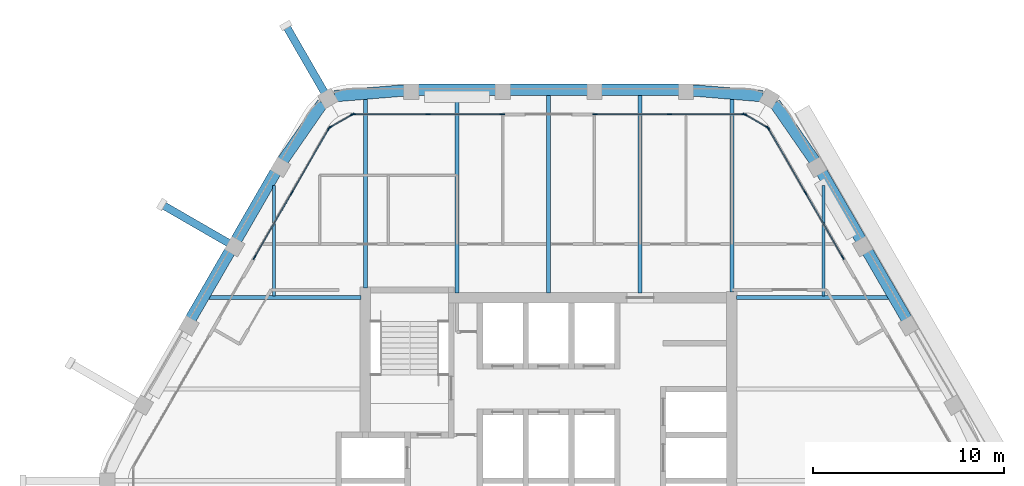
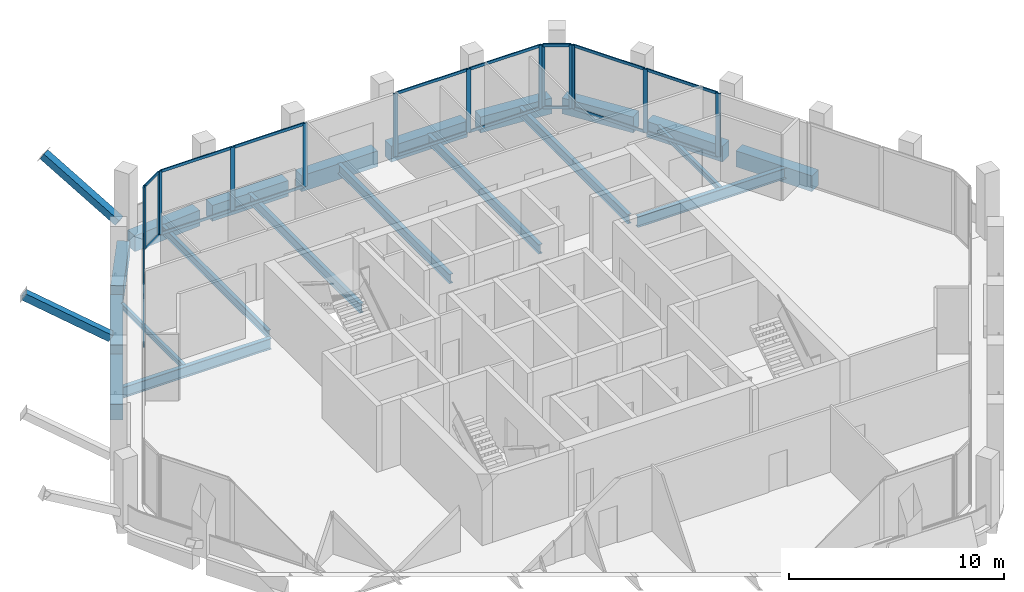
# One storey, part 5 of 14: 38 members, 20 beams, 6 elements without a shape of their own.
"""IFC4 building model written with IfcOpenShell, lengths in metres."""

from ifc_helpers import new_model, si_unit, direction, frame, origin, origin_2d, place, context, subcontext, project, spatial, rectangle, hollow_rectangle, i_section, extrude, material, material_profile, profile_set, type_object, element, aggregate, save


model = new_model("IFC4")

# Units and contexts
model_context = context("Model", 3, precision=1e-05, world=origin(), true_north=direction((0.0, 1.0)))
body_context = subcontext(model_context, "Body", "Model", "MODEL_VIEW")
ifc_project = project(units=[si_unit("LENGTHUNIT", "METRE"), si_unit("AREAUNIT", "SQUARE_METRE"), si_unit("VOLUMEUNIT", "CUBIC_METRE"), si_unit("PLANEANGLEUNIT", "RADIAN"), si_unit("MASSUNIT", "GRAM", prefix="KILO")], contexts=[model_context])

# Site, building, storey
site_placement = place(None, origin())
site = spatial("IfcSite", under=ifc_project, at=site_placement, CompositionType="ELEMENT")
building_placement = place(site_placement, origin())
building = spatial("IfcBuilding", under=site, at=building_placement, Name="Kolab Exchange Tower", CompositionType="ELEMENT")
storey_placement = place(building_placement, frame((0.0, 0.0, 234.5)))
storey = spatial("IfcBuildingStorey", under=building, at=storey_placement, Name="L51", CompositionType="ELEMENT", Elevation=234.5)

# Beams
ifc_material_1 = material(Name="Steel S355", Category="steel")
ifc_material_profile_1 = material_profile(ifc_material_1, i_section(OverallWidth=0.1650390625, OverallDepth=0.31005859375, WebThickness=0.005859375, FlangeThickness=0.009765625, at=origin_2d()), Name="W310X39")
ifc_profile_set_1 = profile_set([ifc_material_profile_1], Name="Steel S355")
beam_type_1 = type_object("IfcBeamType", Name="FLOOR BEAM W310X39", PredefinedType="BEAM", material=ifc_profile_set_1)
for number, where, z_axis, x_axis, name in (
    (1, (-14.39990234375, 9.674072265625, -0.304931640625), (0.0, 1.0, 0.0), (-1.0, 0.0, 0.0), "beam/L51/fr/004"),
    (2, (14.39990234375, 9.674072265625, -0.304931640625), (0.0, 1.0, 0.0), (-1.0, 0.0, 0.0), "beam/L51/fr/019"),
):
    element("IfcBeam", number, at=place(storey_placement, frame(where, z_axis=z_axis, x_axis=x_axis)), inside=storey, type_object=beam_type_1, Name=name, PredefinedType="BEAM", context=body_context, shape_type="SweptSolid", body=[
        extrude(i_section(OverallWidth=0.1650390625, OverallDepth=0.31005859375, WebThickness=0.005859375, FlangeThickness=0.009765625, at=origin_2d()), origin(), (0.0, 0.0, 1.0), 5.793701171875),
    ])
ifc_material_profile_2 = material_profile(ifc_material_1, i_section(OverallWidth=0.18994140625, OverallDepth=0.45703125, WebThickness=0.009033203125, FlangeThickness=0.014404296875, at=origin_2d()), Name="W460X74")
ifc_profile_set_2 = profile_set([ifc_material_profile_2], Name="Steel S355")
beam_type_2 = type_object("IfcBeamType", Name="FLOOR BEAM W460X74", PredefinedType="BEAM", material=ifc_profile_set_2)
beam_1_placement = place(storey_placement, frame((-9.60009765625, 10.110107421875, -0.37841796875), z_axis=(0.0, 1.0, 0.0), x_axis=(-1.0, 0.0, 0.0)))
element("IfcBeam", 3, at=beam_1_placement, inside=storey, type_object=beam_type_2, Name="beam/L51/fr/006", PredefinedType="BEAM", context=body_context, shape_type="SweptSolid", body=[
    extrude(i_section(OverallWidth=0.18994140625, OverallDepth=0.45703125, WebThickness=0.009033203125, FlangeThickness=0.014404296875, at=origin_2d()), origin(), (0.0, 0.0, 1.0), 9.9169921875),
])
ifc_material_profile_3 = material_profile(ifc_material_1, i_section(OverallWidth=0.208984375, OverallDepth=0.532958984375, WebThickness=0.01025390625, FlangeThickness=0.015625, at=origin_2d()), Name="W530X92")
ifc_profile_set_3 = profile_set([ifc_material_profile_3], Name="Steel S355")
beam_type_3 = type_object("IfcBeamType", Name="FLOOR BEAM W530X92", PredefinedType="BEAM", material=ifc_profile_set_3)
for number, where, z_axis, x_axis, name in (
    (4, (-4.800048828125, 9.8349609375, -0.41650390625), (0.0, 1.0, 0.0), (-1.0, 0.0, 0.0), "beam/L51/fr/008"),
    (5, (0.0, 9.8349609375, -0.41650390625), (0.0, 1.0, 0.0), (-1.0, 0.0, 0.0), "beam/L51/fr/010"),
    (6, (4.800048828125, 9.8349609375, -0.41650390625), (0.0, 1.0, 0.0), (-1.0, 0.0, 0.0), "beam/L51/fr/012"),
):
    element("IfcBeam", number, at=place(storey_placement, frame(where, z_axis=z_axis, x_axis=x_axis)), inside=storey, type_object=beam_type_3, Name=name, PredefinedType="BEAM", context=body_context, shape_type="SweptSolid", body=[
        extrude(i_section(OverallWidth=0.208984375, OverallDepth=0.532958984375, WebThickness=0.01025390625, FlangeThickness=0.015625, at=origin_2d()), origin(), (0.0, 0.0, 1.0), 10.3896484375),
    ])
beam_2_placement = place(storey_placement, frame((9.60009765625, 9.885009765625, -0.41650390625), z_axis=(0.0, 1.0, 0.0), x_axis=(-1.0, 0.0, 0.0)))
element("IfcBeam", 7, at=beam_2_placement, inside=storey, type_object=beam_type_3, Name="beam/L51/fr/014", PredefinedType="BEAM", context=body_context, shape_type="SweptSolid", body=[
    extrude(i_section(OverallWidth=0.208984375, OverallDepth=0.532958984375, WebThickness=0.01025390625, FlangeThickness=0.015625, at=origin_2d()), origin(), (0.0, 0.0, 1.0), 10.14208984375),
])
ifc_material_profile_4 = material_profile(ifc_material_1, i_section(OverallWidth=0.22802734375, OverallDepth=0.60791015625, WebThickness=0.01123046875, FlangeThickness=0.017333984375, at=origin_2d()), Name="W610X113")
ifc_profile_set_4 = profile_set([ifc_material_profile_4], Name="Steel S355")
beam_type_4 = type_object("IfcBeamType", Name="FLOOR GIRDER W610X113", PredefinedType="BEAM", material=ifc_profile_set_4)
for number, where, z_axis, x_axis, name in (
    (8, (-17.8046875, 9.60009765625, -0.4541015625), (1.0, 0.0, 0.0), (0.0, 1.0, 0.0), "beam/L51/gd/001"),
    (9, (9.8349609375, 9.60009765625, -0.4541015625), (1.0, 0.0, 0.0), (0.0, 1.0, 0.0), "beam/L51/gd/003"),
):
    element("IfcBeam", number, at=place(storey_placement, frame(where, z_axis=z_axis, x_axis=x_axis)), inside=storey, type_object=beam_type_4, Name=name, PredefinedType="BEAM", context=body_context, shape_type="SweptSolid", body=[
        extrude(i_section(OverallWidth=0.22802734375, OverallDepth=0.60791015625, WebThickness=0.01123046875, FlangeThickness=0.017333984375, at=origin_2d()), origin(), (0.0, 0.0, 1.0), 7.9697265625),
    ])

# Members
ifc_material_profile_5 = material_profile(ifc_material_1, hollow_rectangle(XDim=0.39990234375, YDim=0.39990234375, WallThickness=0.02001953125, at=origin_2d()), Name="HSS400X400X20")
ifc_profile_set_5 = profile_set([ifc_material_profile_5], Name="Steel S355")
member_type_1 = type_object("IfcMemberType", Name="LEDGE STRUT HSS400X400X20", PredefinedType="STRUT", material=ifc_profile_set_5)
for number, where, z_axis, x_axis, name in (
    (10, (-16.765380859375, 12.45068359375, 0.60009765625), (-0.74714919009, 0.431366436313, 0.505659060406), (-0.499999695987, -0.866025579307, 0.0), "mem/L51/ledge/strut-5"),
    (11, (-11.747802734375, 20.347900390625, 0.60009765625), (-0.431366436313, 0.74714919009, 0.505659060406), (-0.866025579307, -0.499999695987, 0.0), "mem/L51/ledge/strut-6"),
):
    element("IfcMember", number, at=place(storey_placement, frame(where, z_axis=z_axis, x_axis=x_axis)), inside=storey, type_object=member_type_1, Name=name, PredefinedType="STRUT", context=body_context, shape_type="SweptSolid", body=[
        extrude(hollow_rectangle(XDim=0.39990234375, YDim=0.39990234375, WallThickness=0.02001953125, at=origin_2d()), origin(), (0.0, 0.0, 1.0), 4.682861328125),
    ])

# Beams
ifc_material_2 = material(Name="Concrete C50/60", Category="concrete")
ifc_material_profile_6 = material_profile(ifc_material_2, rectangle(XDim=0.60009765625, YDim=0.89990234375, at=origin_2d()), Name="RC600X900")
ifc_profile_set_6 = profile_set([ifc_material_profile_6], Name="Concrete C50/60")
beam_type_5 = type_object("IfcBeamType", Name="SPANDREL BEAM 600X900 C50/60", PredefinedType="BEAM", material=ifc_profile_set_6)
beam_3_placement = place(storey_placement, frame((-11.216796875, 20.15576171875, -0.60009765625), z_axis=(0.996666751878, 0.081580547323, 0.0), x_axis=(-0.081580547323, 0.996666751878, 0.0)))
element("IfcBeam", 12, at=beam_3_placement, inside=storey, type_object=beam_type_5, Name="beam/L51/sp/F1-01", PredefinedType="BEAM", context=body_context, shape_type="SweptSolid", body=[
    extrude(rectangle(XDim=0.60009765625, YDim=0.89990234375, at=origin_2d()), origin(), (0.0, 0.0, 1.0), 3.6689453125),
])
for number, where, z_axis, x_axis, name in (
    (13, (-6.840087890625, 20.484619140625, -0.60009765625), (1.0, 0.0, 0.0), (0.0, 1.0, 0.0), "beam/L51/sp/F1-02"),
    (14, (-2.0400390625, 20.484619140625, -0.60009765625), (1.0, 0.0, 0.0), (0.0, 1.0, 0.0), "beam/L51/sp/F1-03"),
    (15, (2.760009765625, 20.484619140625, -0.60009765625), (1.0, 0.0, 0.0), (0.0, 1.0, 0.0), "beam/L51/sp/F1-04"),
):
    element("IfcBeam", number, at=place(storey_placement, frame(where, z_axis=z_axis, x_axis=x_axis)), inside=storey, type_object=beam_type_5, Name=name, PredefinedType="BEAM", context=body_context, shape_type="SweptSolid", body=[
        extrude(rectangle(XDim=0.60009765625, YDim=0.89990234375, at=origin_2d()), origin(), (0.0, 0.0, 1.0), 4.080078125),
    ])
for number, where, z_axis, x_axis, name in (
    (16, (7.56005859375, 20.455078125, -0.60009765625), (0.996666751878, -0.081580547323, 0.0), (0.081580547323, 0.996666751878, 0.0), "beam/L51/sp/F1-05"),
    (17, (11.846923828125, 19.7919921875, -0.60009765625), (0.569005808573, -0.822333502789, 0.0), (0.822333502789, 0.569005808573, 0.0), "beam/L51/sp/F2-01"),
):
    element("IfcBeam", number, at=place(storey_placement, frame(where, z_axis=z_axis, x_axis=x_axis)), inside=storey, type_object=beam_type_5, Name=name, PredefinedType="BEAM", context=body_context, shape_type="SweptSolid", body=[
        extrude(rectangle(XDim=0.60009765625, YDim=0.89990234375, at=origin_2d()), origin(), (0.0, 0.0, 1.0), 3.6689453125),
    ])
beam_4_placement = place(storey_placement, frame((14.3203125, 16.166015625, -0.60009765625), z_axis=(0.499955548806, -0.866051066172, 0.0), x_axis=(0.866051066172, 0.499955548806, 0.0)))
element("IfcBeam", 18, at=beam_4_placement, inside=storey, type_object=beam_type_5, Name="beam/L51/sp/F2-02", PredefinedType="BEAM", context=body_context, shape_type="SweptSolid", body=[
    extrude(rectangle(XDim=0.60009765625, YDim=0.89990234375, at=origin_2d()), origin(), (0.0, 0.0, 1.0), 4.079833984375),
])
for number, where, z_axis, x_axis, name in (
    (19, (16.72021484375, 12.009033203125, -0.60009765625), (0.500000428765, -0.866025156237, 0.0), (0.866025156237, 0.500000428765, 0.0), "beam/L51/sp/F2-03"),
    (20, (-18.76025390625, 8.4755859375, -0.60009765625), (0.500000428765, 0.866025156237, 0.0), (-0.866025156237, 0.500000428765, 0.0), "beam/L51/sp/F6-03"),
):
    element("IfcBeam", number, at=place(storey_placement, frame(where, z_axis=z_axis, x_axis=x_axis)), inside=storey, type_object=beam_type_5, Name=name, PredefinedType="BEAM", context=body_context, shape_type="SweptSolid", body=[
        extrude(rectangle(XDim=0.60009765625, YDim=0.89990234375, at=origin_2d()), origin(), (0.0, 0.0, 1.0), 4.080078125),
    ])
beam_5_placement = place(storey_placement, frame((-16.360107421875, 12.632568359375, -0.60009765625), z_axis=(0.499955548806, 0.866051066172, 0.0), x_axis=(-0.866051066172, 0.499955548806, 0.0)))
element("IfcBeam", 21, at=beam_5_placement, inside=storey, type_object=beam_type_5, Name="beam/L51/sp/F6-04", PredefinedType="BEAM", context=body_context, shape_type="SweptSolid", body=[
    extrude(rectangle(XDim=0.60009765625, YDim=0.89990234375, at=origin_2d()), origin(), (0.0, 0.0, 1.0), 4.079833984375),
])
beam_6_placement = place(storey_placement, frame((-13.9345703125, 16.77490234375, -0.60009765625), z_axis=(0.569005808573, 0.822333502789, 0.0), x_axis=(-0.822333502789, 0.569005808573, 0.0)))
element("IfcBeam", 22, at=beam_6_placement, inside=storey, type_object=beam_type_5, Name="beam/L51/sp/F6-05", PredefinedType="BEAM", context=body_context, shape_type="SweptSolid", body=[
    extrude(rectangle(XDim=0.60009765625, YDim=0.89990234375, at=origin_2d()), origin(), (0.0, 0.0, 1.0), 3.6689453125),
])

# Curtain wall, members
ifc_material_3 = material(Name="Aluminium EN AW-6063 T6", Category="aluminium")
curtain_wall_type = type_object("IfcCurtainWallType", Name="UNITISED HIGH ZONE CURTAIN WALL", PredefinedType="NOTDEFINED", material=ifc_material_3)
curtain_wall_1_placement = place(storey_placement, origin())
curtain_wall_1 = element("IfcCurtainWall", 23, at=curtain_wall_1_placement, inside=storey, type_object=curtain_wall_type, Name="cw/L51/F1-1", PredefinedType="NOTDEFINED")
ifc_material_profile_7 = material_profile(ifc_material_3, rectangle(XDim=0.06005859375, YDim=0.239990234375, at=origin_2d()), Name="RECT 60X240")
ifc_profile_set_7 = profile_set([ifc_material_profile_7], Name="Aluminium EN AW-6063 T6")
member_type_2 = type_object("IfcMemberType", Name="UNITISED HIGH ZONE MULLION 60 X 240", PredefinedType="MULLION", material=ifc_profile_set_7)
member_1_placement = place(storey_placement, frame((-10.238037109375, 19.20458984375, 0.0), z_axis=(0.0, 0.0, 1.0), x_axis=(0.0, 1.0, 0.0)))
member_1 = element("IfcMember", 24, at=member_1_placement, type_object=member_type_2, Name="CW4 mullion 1", PredefinedType="MULLION", context=body_context, shape_type="SweptSolid", body=[
    extrude(rectangle(XDim=0.06005859375, YDim=0.239990234375, at=origin_2d()), origin(), (0.0, 0.0, 1.0), 3.60009765625),
])
member_2_placement = place(storey_placement, frame((-6.333984375, 19.20458984375, 0.0), z_axis=(0.0, 0.0, 1.0), x_axis=(0.0, 1.0, 0.0)))
member_2 = element("IfcMember", 25, at=member_2_placement, type_object=member_type_2, Name="CW4 mullion 2", PredefinedType="MULLION", context=body_context, shape_type="SweptSolid", body=[
    extrude(rectangle(XDim=0.06005859375, YDim=0.239990234375, at=origin_2d()), origin(), (0.0, 0.0, 1.0), 3.60009765625),
])
member_3_placement = place(storey_placement, frame((-2.429931640625, 19.20458984375, 0.0), z_axis=(0.0, 0.0, 1.0), x_axis=(0.0, 1.0, 0.0)))
member_3 = element("IfcMember", 26, at=member_3_placement, type_object=member_type_2, Name="CW4 mullion 3", PredefinedType="MULLION", context=body_context, shape_type="SweptSolid", body=[
    extrude(rectangle(XDim=0.06005859375, YDim=0.239990234375, at=origin_2d()), origin(), (0.0, 0.0, 1.0), 3.60009765625),
])

curtain_wall_2_placement = place(storey_placement, origin())
curtain_wall_2 = element("IfcCurtainWall", 27, at=curtain_wall_2_placement, inside=storey, type_object=curtain_wall_type, Name="cw/L51/F1-2", PredefinedType="NOTDEFINED")
member_4_placement = place(storey_placement, frame((2.429931640625, 19.20458984375, 0.0), z_axis=(0.0, 0.0, 1.0), x_axis=(0.0, 1.0, 0.0)))
member_4 = element("IfcMember", 28, at=member_4_placement, type_object=member_type_2, Name="CW4 mullion 1", PredefinedType="MULLION", context=body_context, shape_type="SweptSolid", body=[
    extrude(rectangle(XDim=0.06005859375, YDim=0.239990234375, at=origin_2d()), origin(), (0.0, 0.0, 1.0), 3.60009765625),
])
member_5_placement = place(storey_placement, frame((6.333984375, 19.20458984375, 0.0), z_axis=(0.0, 0.0, 1.0), x_axis=(0.0, 1.0, 0.0)))
member_5 = element("IfcMember", 29, at=member_5_placement, type_object=member_type_2, Name="CW4 mullion 2", PredefinedType="MULLION", context=body_context, shape_type="SweptSolid", body=[
    extrude(rectangle(XDim=0.06005859375, YDim=0.239990234375, at=origin_2d()), origin(), (0.0, 0.0, 1.0), 3.60009765625),
])
member_6_placement = place(storey_placement, frame((10.238037109375, 19.20458984375, 0.0), z_axis=(0.0, 0.0, 1.0), x_axis=(0.0, 1.0, 0.0)))
member_6 = element("IfcMember", 30, at=member_6_placement, type_object=member_type_2, Name="CW4 mullion 3", PredefinedType="MULLION", context=body_context, shape_type="SweptSolid", body=[
    extrude(rectangle(XDim=0.06005859375, YDim=0.239990234375, at=origin_2d()), origin(), (0.0, 0.0, 1.0), 3.60009765625),
])

curtain_wall_3_placement = place(storey_placement, origin())
curtain_wall_3 = element("IfcCurtainWall", 31, at=curtain_wall_3_placement, inside=storey, type_object=curtain_wall_type, Name="cw/L51/F2-1", PredefinedType="NOTDEFINED")
member_7_placement = place(storey_placement, frame((11.5126953125, 18.46875, 0.0), z_axis=(0.0, 0.0, 1.0), x_axis=(0.866025385493, 0.500000031681, 0.0)))
member_7 = element("IfcMember", 32, at=member_7_placement, type_object=member_type_2, Name="CW4 mullion 1", PredefinedType="MULLION", context=body_context, shape_type="SweptSolid", body=[
    extrude(rectangle(XDim=0.06005859375, YDim=0.239990234375, at=origin_2d()), origin(), (0.0, 0.0, 1.0), 3.60009765625),
])
member_8_placement = place(storey_placement, frame((13.464599609375, 15.087646484375, 0.0), z_axis=(0.0, 0.0, 1.0), x_axis=(0.866025385493, 0.500000031681, 0.0)))
member_8 = element("IfcMember", 33, at=member_8_placement, type_object=member_type_2, Name="CW4 mullion 2", PredefinedType="MULLION", context=body_context, shape_type="SweptSolid", body=[
    extrude(rectangle(XDim=0.06005859375, YDim=0.239990234375, at=origin_2d()), origin(), (0.0, 0.0, 1.0), 3.60009765625),
])
member_9_placement = place(storey_placement, frame((15.416748046875, 11.706787109375, 0.0), z_axis=(0.0, 0.0, 1.0), x_axis=(0.866025385493, 0.500000031681, 0.0)))
member_9 = element("IfcMember", 34, at=member_9_placement, type_object=member_type_2, Name="CW4 mullion 3", PredefinedType="MULLION", context=body_context, shape_type="SweptSolid", body=[
    extrude(rectangle(XDim=0.06005859375, YDim=0.239990234375, at=origin_2d()), origin(), (0.0, 0.0, 1.0), 3.60009765625),
])

curtain_wall_4_placement = place(storey_placement, origin())
curtain_wall_4 = element("IfcCurtainWall", 35, at=curtain_wall_4_placement, inside=storey, type_object=curtain_wall_type, Name="cw/L51/F6-2", PredefinedType="NOTDEFINED")
member_10_placement = place(storey_placement, frame((-15.416748046875, 11.706787109375, 0.0), z_axis=(0.0, 0.0, 1.0), x_axis=(-0.866025385493, 0.500000031681, 0.0)))
member_10 = element("IfcMember", 36, at=member_10_placement, type_object=member_type_2, Name="CW4 mullion 1", PredefinedType="MULLION", context=body_context, shape_type="SweptSolid", body=[
    extrude(rectangle(XDim=0.06005859375, YDim=0.239990234375, at=origin_2d()), origin(), (0.0, 0.0, 1.0), 3.60009765625),
])
member_11_placement = place(storey_placement, frame((-13.464599609375, 15.087646484375, 0.0), z_axis=(0.0, 0.0, 1.0), x_axis=(-0.866025385493, 0.500000031681, 0.0)))
member_11 = element("IfcMember", 37, at=member_11_placement, type_object=member_type_2, Name="CW4 mullion 2", PredefinedType="MULLION", context=body_context, shape_type="SweptSolid", body=[
    extrude(rectangle(XDim=0.06005859375, YDim=0.239990234375, at=origin_2d()), origin(), (0.0, 0.0, 1.0), 3.60009765625),
])
member_12_placement = place(storey_placement, frame((-11.5126953125, 18.46875, 0.0), z_axis=(0.0, 0.0, 1.0), x_axis=(-0.866025385493, 0.500000031681, 0.0)))
member_12 = element("IfcMember", 38, at=member_12_placement, type_object=member_type_2, Name="CW4 mullion 3", PredefinedType="MULLION", context=body_context, shape_type="SweptSolid", body=[
    extrude(rectangle(XDim=0.06005859375, YDim=0.239990234375, at=origin_2d()), origin(), (0.0, 0.0, 1.0), 3.60009765625),
])

curtain_wall_5_placement = place(storey_placement, origin())
curtain_wall_5 = element("IfcCurtainWall", 39, at=curtain_wall_5_placement, inside=storey, type_object=curtain_wall_type, Name="cw/L51/F1F2-corner", PredefinedType="NOTDEFINED")
member_13_placement = place(storey_placement, frame((10.2939453125, 19.189697265625, 0.0), z_axis=(0.0, 0.0, 1.0), x_axis=(0.50000002237, 0.866025390869, 0.0)))
member_13 = element("IfcMember", 40, at=member_13_placement, type_object=member_type_2, Name="CW4 mullion 1", PredefinedType="MULLION", context=body_context, shape_type="SweptSolid", body=[
    extrude(rectangle(XDim=0.06005859375, YDim=0.239990234375, at=origin_2d()), origin(), (0.0, 0.0, 1.0), 3.60009765625),
])
member_14_placement = place(storey_placement, frame((11.4716796875, 18.509521484375, 0.0), z_axis=(0.0, 0.0, 1.0), x_axis=(0.50000002237, 0.866025390869, 0.0)))
member_14 = element("IfcMember", 41, at=member_14_placement, type_object=member_type_2, Name="CW4 mullion 2", PredefinedType="MULLION", context=body_context, shape_type="SweptSolid", body=[
    extrude(rectangle(XDim=0.06005859375, YDim=0.239990234375, at=origin_2d()), origin(), (0.0, 0.0, 1.0), 3.60009765625),
])

curtain_wall_6_placement = place(storey_placement, origin())
curtain_wall_6 = element("IfcCurtainWall", 42, at=curtain_wall_6_placement, inside=storey, type_object=curtain_wall_type, Name="cw/L51/F6F1-corner", PredefinedType="NOTDEFINED")
member_15_placement = place(storey_placement, frame((-11.4716796875, 18.509521484375, 0.0), z_axis=(0.0, 0.0, 1.0), x_axis=(-0.50000002237, 0.866025390869, 0.0)))
member_15 = element("IfcMember", 43, at=member_15_placement, type_object=member_type_2, Name="CW4 mullion 1", PredefinedType="MULLION", context=body_context, shape_type="SweptSolid", body=[
    extrude(rectangle(XDim=0.06005859375, YDim=0.239990234375, at=origin_2d()), origin(), (0.0, 0.0, 1.0), 3.60009765625),
])
member_16_placement = place(storey_placement, frame((-10.2939453125, 19.189697265625, 0.0), z_axis=(0.0, 0.0, 1.0), x_axis=(-0.50000002237, 0.866025390869, 0.0)))
member_16 = element("IfcMember", 44, at=member_16_placement, type_object=member_type_2, Name="CW4 mullion 2", PredefinedType="MULLION", context=body_context, shape_type="SweptSolid", body=[
    extrude(rectangle(XDim=0.06005859375, YDim=0.239990234375, at=origin_2d()), origin(), (0.0, 0.0, 1.0), 3.60009765625),
])

# Member
ifc_material_profile_8 = material_profile(ifc_material_3, rectangle(XDim=0.06005859375, YDim=0.159912109375, at=origin_2d()), Name="RECT 60X160")
ifc_profile_set_8 = profile_set([ifc_material_profile_8], Name="Aluminium EN AW-6063 T6")
member_type_3 = type_object("IfcMemberType", Name="UNITISED HIGH ZONE TRANSOM 60 X 160", PredefinedType="USERDEFINED", material=ifc_profile_set_8)
member_17_placement = place(storey_placement, frame((-10.2080078125, 19.20458984375, 0.030029296875), z_axis=(1.0, 0.0, 0.0), x_axis=(0.0, 1.0, 0.0)))
member_17 = element("IfcMember", 45, at=member_17_placement, type_object=member_type_3, Name="CW4 transom 1.1", ObjectType="TRANSOM", PredefinedType="USERDEFINED", context=body_context, shape_type="SweptSolid", body=[
    extrude(rectangle(XDim=0.06005859375, YDim=0.159912109375, at=origin_2d()), origin(), (0.0, 0.0, 1.0), 3.843994140625),
])

member_18_placement = place(storey_placement, frame((-10.2080078125, 19.20458984375, 3.570068359375), z_axis=(1.0, 0.0, 0.0), x_axis=(0.0, 1.0, 0.0)))
member_18 = element("IfcMember", 46, at=member_18_placement, type_object=member_type_3, Name="CW4 transom 1.2", ObjectType="TRANSOM", PredefinedType="USERDEFINED", context=body_context, shape_type="SweptSolid", body=[
    extrude(rectangle(XDim=0.06005859375, YDim=0.159912109375, at=origin_2d()), origin(), (0.0, 0.0, 1.0), 3.843994140625),
])

member_19_placement = place(storey_placement, frame((-6.303955078125, 19.20458984375, 0.030029296875), z_axis=(1.0, 0.0, 0.0), x_axis=(0.0, 1.0, 0.0)))
member_19 = element("IfcMember", 47, at=member_19_placement, type_object=member_type_3, Name="CW4 transom 2.1", ObjectType="TRANSOM", PredefinedType="USERDEFINED", context=body_context, shape_type="SweptSolid", body=[
    extrude(rectangle(XDim=0.06005859375, YDim=0.159912109375, at=origin_2d()), origin(), (0.0, 0.0, 1.0), 3.843994140625),
])

member_20_placement = place(storey_placement, frame((-6.303955078125, 19.20458984375, 3.570068359375), z_axis=(1.0, 0.0, 0.0), x_axis=(0.0, 1.0, 0.0)))
member_20 = element("IfcMember", 48, at=member_20_placement, type_object=member_type_3, Name="CW4 transom 2.2", ObjectType="TRANSOM", PredefinedType="USERDEFINED", context=body_context, shape_type="SweptSolid", body=[
    extrude(rectangle(XDim=0.06005859375, YDim=0.159912109375, at=origin_2d()), origin(), (0.0, 0.0, 1.0), 3.843994140625),
])

aggregate(curtain_wall_1, [member_1, member_2, member_3, member_17, member_18, member_19, member_20])

member_21_placement = place(storey_placement, frame((2.4599609375, 19.20458984375, 0.030029296875), z_axis=(1.0, 0.0, 0.0), x_axis=(0.0, 1.0, 0.0)))
member_21 = element("IfcMember", 49, at=member_21_placement, type_object=member_type_3, Name="CW4 transom 1.1", ObjectType="TRANSOM", PredefinedType="USERDEFINED", context=body_context, shape_type="SweptSolid", body=[
    extrude(rectangle(XDim=0.06005859375, YDim=0.159912109375, at=origin_2d()), origin(), (0.0, 0.0, 1.0), 3.843994140625),
])

member_22_placement = place(storey_placement, frame((2.4599609375, 19.20458984375, 3.570068359375), z_axis=(1.0, 0.0, 0.0), x_axis=(0.0, 1.0, 0.0)))
member_22 = element("IfcMember", 50, at=member_22_placement, type_object=member_type_3, Name="CW4 transom 1.2", ObjectType="TRANSOM", PredefinedType="USERDEFINED", context=body_context, shape_type="SweptSolid", body=[
    extrude(rectangle(XDim=0.06005859375, YDim=0.159912109375, at=origin_2d()), origin(), (0.0, 0.0, 1.0), 3.843994140625),
])

member_23_placement = place(storey_placement, frame((6.364013671875, 19.20458984375, 0.030029296875), z_axis=(1.0, 0.0, 0.0), x_axis=(0.0, 1.0, 0.0)))
member_23 = element("IfcMember", 51, at=member_23_placement, type_object=member_type_3, Name="CW4 transom 2.1", ObjectType="TRANSOM", PredefinedType="USERDEFINED", context=body_context, shape_type="SweptSolid", body=[
    extrude(rectangle(XDim=0.06005859375, YDim=0.159912109375, at=origin_2d()), origin(), (0.0, 0.0, 1.0), 3.843994140625),
])

member_24_placement = place(storey_placement, frame((6.364013671875, 19.20458984375, 3.570068359375), z_axis=(1.0, 0.0, 0.0), x_axis=(0.0, 1.0, 0.0)))
member_24 = element("IfcMember", 52, at=member_24_placement, type_object=member_type_3, Name="CW4 transom 2.2", ObjectType="TRANSOM", PredefinedType="USERDEFINED", context=body_context, shape_type="SweptSolid", body=[
    extrude(rectangle(XDim=0.06005859375, YDim=0.159912109375, at=origin_2d()), origin(), (0.0, 0.0, 1.0), 3.843994140625),
])

aggregate(curtain_wall_2, [member_4, member_5, member_6, member_21, member_22, member_23, member_24])

member_25_placement = place(storey_placement, frame((11.527587890625, 18.442626953125, 0.030029296875), z_axis=(0.500039492609, -0.866002601515, 0.0), x_axis=(0.866002601515, 0.500039492609, 0.0)))
member_25 = element("IfcMember", 53, at=member_25_placement, type_object=member_type_3, Name="CW4 transom 1.1", ObjectType="TRANSOM", PredefinedType="USERDEFINED", context=body_context, shape_type="SweptSolid", body=[
    extrude(rectangle(XDim=0.06005859375, YDim=0.159912109375, at=origin_2d()), origin(), (0.0, 0.0, 1.0), 3.843994140625),
])

member_26_placement = place(storey_placement, frame((11.527587890625, 18.442626953125, 3.570068359375), z_axis=(0.500039492609, -0.866002601515, 0.0), x_axis=(0.866002601515, 0.500039492609, 0.0)))
member_26 = element("IfcMember", 54, at=member_26_placement, type_object=member_type_3, Name="CW4 transom 1.2", ObjectType="TRANSOM", PredefinedType="USERDEFINED", context=body_context, shape_type="SweptSolid", body=[
    extrude(rectangle(XDim=0.06005859375, YDim=0.159912109375, at=origin_2d()), origin(), (0.0, 0.0, 1.0), 3.843994140625),
])

member_27_placement = place(storey_placement, frame((13.479736328125, 15.061767578125, 0.030029296875), z_axis=(0.499964356602, -0.866045981532, 0.0), x_axis=(0.866045981532, 0.499964356602, 0.0)))
member_27 = element("IfcMember", 55, at=member_27_placement, type_object=member_type_3, Name="CW4 transom 2.1", ObjectType="TRANSOM", PredefinedType="USERDEFINED", context=body_context, shape_type="SweptSolid", body=[
    extrude(rectangle(XDim=0.06005859375, YDim=0.159912109375, at=origin_2d()), origin(), (0.0, 0.0, 1.0), 3.843994140625),
])

member_28_placement = place(storey_placement, frame((13.479736328125, 15.061767578125, 3.570068359375), z_axis=(0.499964356602, -0.866045981532, 0.0), x_axis=(0.866045981532, 0.499964356602, 0.0)))
member_28 = element("IfcMember", 56, at=member_28_placement, type_object=member_type_3, Name="CW4 transom 2.2", ObjectType="TRANSOM", PredefinedType="USERDEFINED", context=body_context, shape_type="SweptSolid", body=[
    extrude(rectangle(XDim=0.06005859375, YDim=0.159912109375, at=origin_2d()), origin(), (0.0, 0.0, 1.0), 3.843994140625),
])

aggregate(curtain_wall_3, [member_7, member_8, member_9, member_25, member_26, member_27, member_28])

member_29_placement = place(storey_placement, frame((-15.401611328125, 11.732666015625, 0.030029296875), z_axis=(0.499964356602, 0.866045981532, 0.0), x_axis=(-0.866045981532, 0.499964356602, 0.0)))
member_29 = element("IfcMember", 57, at=member_29_placement, type_object=member_type_3, Name="CW4 transom 1.1", ObjectType="TRANSOM", PredefinedType="USERDEFINED", context=body_context, shape_type="SweptSolid", body=[
    extrude(rectangle(XDim=0.06005859375, YDim=0.159912109375, at=origin_2d()), origin(), (0.0, 0.0, 1.0), 3.843994140625),
])

member_30_placement = place(storey_placement, frame((-15.401611328125, 11.732666015625, 3.570068359375), z_axis=(0.499964356602, 0.866045981532, 0.0), x_axis=(-0.866045981532, 0.499964356602, 0.0)))
member_30 = element("IfcMember", 58, at=member_30_placement, type_object=member_type_3, Name="CW4 transom 1.2", ObjectType="TRANSOM", PredefinedType="USERDEFINED", context=body_context, shape_type="SweptSolid", body=[
    extrude(rectangle(XDim=0.06005859375, YDim=0.159912109375, at=origin_2d()), origin(), (0.0, 0.0, 1.0), 3.843994140625),
])

member_31_placement = place(storey_placement, frame((-13.44970703125, 15.11376953125, 0.030029296875), z_axis=(0.500039492609, 0.866002601515, 0.0), x_axis=(-0.866002601515, 0.500039492609, 0.0)))
member_31 = element("IfcMember", 59, at=member_31_placement, type_object=member_type_3, Name="CW4 transom 2.1", ObjectType="TRANSOM", PredefinedType="USERDEFINED", context=body_context, shape_type="SweptSolid", body=[
    extrude(rectangle(XDim=0.06005859375, YDim=0.159912109375, at=origin_2d()), origin(), (0.0, 0.0, 1.0), 3.843994140625),
])

member_32_placement = place(storey_placement, frame((-13.44970703125, 15.11376953125, 3.570068359375), z_axis=(0.500039492609, 0.866002601515, 0.0), x_axis=(-0.866002601515, 0.500039492609, 0.0)))
member_32 = element("IfcMember", 60, at=member_32_placement, type_object=member_type_3, Name="CW4 transom 2.2", ObjectType="TRANSOM", PredefinedType="USERDEFINED", context=body_context, shape_type="SweptSolid", body=[
    extrude(rectangle(XDim=0.06005859375, YDim=0.159912109375, at=origin_2d()), origin(), (0.0, 0.0, 1.0), 3.843994140625),
])

aggregate(curtain_wall_4, [member_10, member_11, member_12, member_29, member_30, member_31, member_32])

member_33_placement = place(storey_placement, frame((10.31982421875, 19.174560546875, 0.030029296875), z_axis=(0.866085525409, -0.49989585183, 0.0), x_axis=(0.49989585183, 0.866085525409, 0.0)))
member_33 = element("IfcMember", 61, at=member_33_placement, type_object=member_type_3, Name="CW4 transom 1.1", ObjectType="TRANSOM", PredefinedType="USERDEFINED", context=body_context, shape_type="SweptSolid", body=[
    extrude(rectangle(XDim=0.06005859375, YDim=0.159912109375, at=origin_2d()), origin(), (0.0, 0.0, 1.0), 1.300048828125),
])

member_34_placement = place(storey_placement, frame((10.31982421875, 19.174560546875, 3.570068359375), z_axis=(0.866085525409, -0.49989585183, 0.0), x_axis=(0.49989585183, 0.866085525409, 0.0)))
member_34 = element("IfcMember", 62, at=member_34_placement, type_object=member_type_3, Name="CW4 transom 1.2", ObjectType="TRANSOM", PredefinedType="USERDEFINED", context=body_context, shape_type="SweptSolid", body=[
    extrude(rectangle(XDim=0.06005859375, YDim=0.159912109375, at=origin_2d()), origin(), (0.0, 0.0, 1.0), 1.300048828125),
])

aggregate(curtain_wall_5, [member_13, member_14, member_33, member_34])

member_35_placement = place(storey_placement, frame((-11.44580078125, 18.524658203125, 0.030029296875), z_axis=(0.866085525409, 0.49989585183, 0.0), x_axis=(-0.49989585183, 0.866085525409, 0.0)))
member_35 = element("IfcMember", 63, at=member_35_placement, type_object=member_type_3, Name="CW4 transom 1.1", ObjectType="TRANSOM", PredefinedType="USERDEFINED", context=body_context, shape_type="SweptSolid", body=[
    extrude(rectangle(XDim=0.06005859375, YDim=0.159912109375, at=origin_2d()), origin(), (0.0, 0.0, 1.0), 1.300048828125),
])

member_36_placement = place(storey_placement, frame((-11.44580078125, 18.524658203125, 3.570068359375), z_axis=(0.866085525409, 0.49989585183, 0.0), x_axis=(-0.49989585183, 0.866085525409, 0.0)))
member_36 = element("IfcMember", 64, at=member_36_placement, type_object=member_type_3, Name="CW4 transom 1.2", ObjectType="TRANSOM", PredefinedType="USERDEFINED", context=body_context, shape_type="SweptSolid", body=[
    extrude(rectangle(XDim=0.06005859375, YDim=0.159912109375, at=origin_2d()), origin(), (0.0, 0.0, 1.0), 1.300048828125),
])

aggregate(curtain_wall_6, [member_15, member_16, member_35, member_36])

save(model, "model.ifc")
